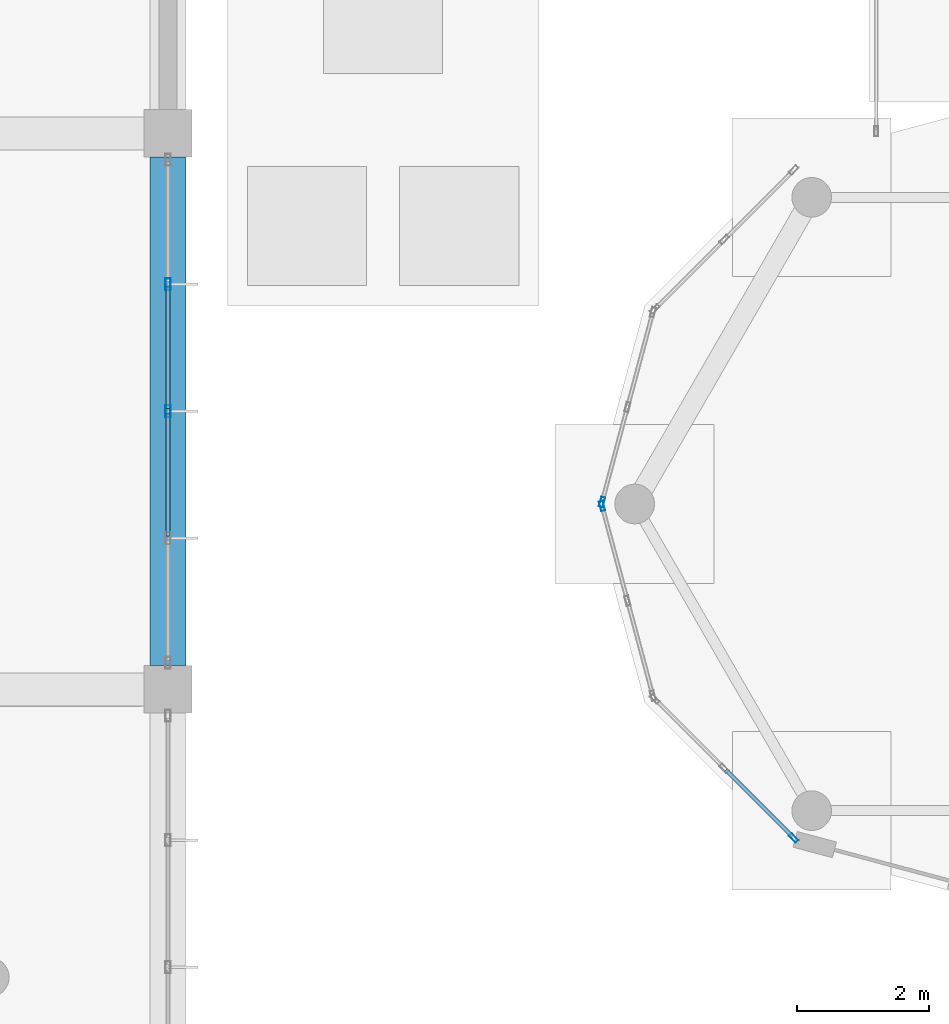
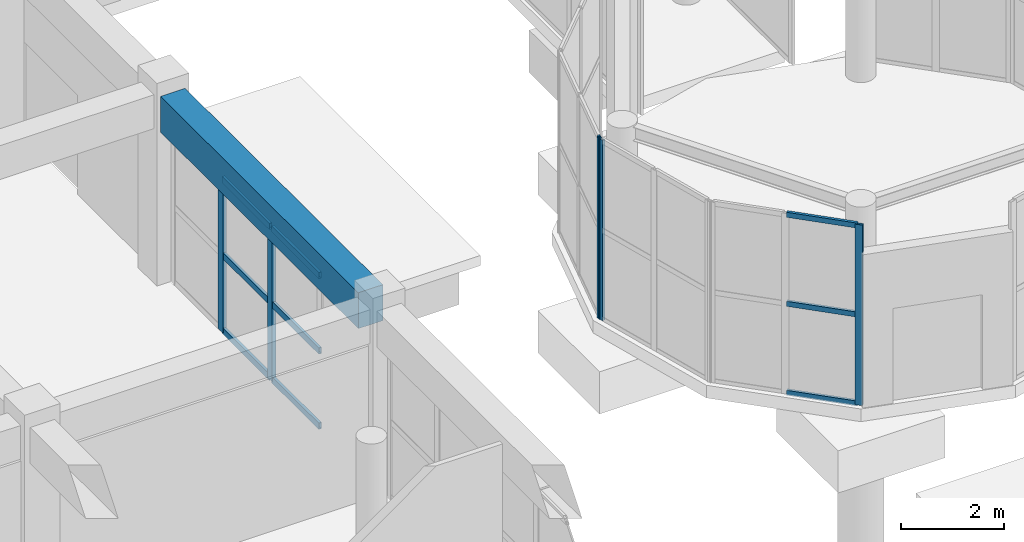
# One storey, part 47 of 139: 14 members, 1 beam, 4 elements without a shape of their own.
"""IFC4 building model written with IfcOpenShell, lengths in metres."""

from ifc_helpers import new_model, si_unit, direction, frame, origin, origin_2d, place, context, subcontext, project, spatial, rectangle, hollow_rectangle, extrude, material, layer, layer_set, material_profile, profile_set, type_object, element, aggregate, save


model = new_model("IFC4")

# Units and contexts
model_context = context("Model", 3, precision=1e-05, world=origin(), true_north=direction((0.0, 1.0)))
body_context = subcontext(model_context, "Body", "Model", "MODEL_VIEW")
ifc_project = project(units=[si_unit("LENGTHUNIT", "METRE"), si_unit("AREAUNIT", "SQUARE_METRE"), si_unit("VOLUMEUNIT", "CUBIC_METRE"), si_unit("PLANEANGLEUNIT", "RADIAN"), si_unit("MASSUNIT", "GRAM", prefix="KILO")], contexts=[model_context])

# Site, building, storey
site_placement = place(None, origin())
site = spatial("IfcSite", under=ifc_project, at=site_placement, CompositionType="ELEMENT")
building_placement = place(site_placement, origin())
building = spatial("IfcBuilding", under=site, at=building_placement, Name="Zizhar Promenade General Hospital", CompositionType="ELEMENT")
storey_placement = place(building_placement, origin())
storey = spatial("IfcBuildingStorey", under=building, at=storey_placement, Name="L00", CompositionType="ELEMENT", Elevation=0.0)

# Beam
ifc_material_1 = material(Name="Concrete C35/45", Category="concrete")
ifc_material_profile_1 = material_profile(ifc_material_1, rectangle(XDim=0.550048828125, YDim=0.85009765625, at=origin_2d()))
ifc_profile_set_1 = profile_set([ifc_material_profile_1], Name="Concrete C35/45")
beam_type = type_object("IfcBeamType", Name="BM-RC-550x850", PredefinedType="BEAM", material=ifc_profile_set_1)
beam_placement = place(storey_placement, frame((132.60009765625, 25.56005859375, 4.044921875), z_axis=(0.0, 1.0, 0.0), x_axis=(-1.0, 0.0, 0.0)))
element("IfcBeam", 1, at=beam_placement, inside=storey, type_object=beam_type, Name="Grid Beam Y L00 (17-3)", PredefinedType="BEAM", context=body_context, shape_type="SweptSolid", body=[
    extrude(rectangle(XDim=0.550048828125, YDim=0.85009765625, at=origin_2d()), origin(), (0.0, 0.0, 1.0), 7.679931640625),
])

# Curtain wall, member
ifc_material_2 = material(Name="Anodised aluminium 6063-T6 and low-E glass", Category="aluminium")
ifc_layer_1 = layer(ifc_material_2, 0.159912109375)
ifc_layer_set_1 = layer_set([ifc_layer_1], Name="Anodised aluminium 6063-T6 and low-E glass")
curtain_wall_type_1 = type_object("IfcCurtainWallType", Name="CW-PAV-GLZ", PredefinedType="NOTDEFINED", material=ifc_layer_set_1)
curtain_wall_1_placement = place(storey_placement, origin())
curtain_wall_1 = element("IfcCurtainWall", 2, at=curtain_wall_1_placement, inside=storey, type_object=curtain_wall_type_1, Name="Outpatient Welcome Pavilion Curved Glazing 6", PredefinedType="NOTDEFINED")
ifc_material_3 = material(Name="Anodised aluminium 6063-T6", Category="aluminium")
ifc_material_profile_2 = material_profile(ifc_material_3, hollow_rectangle(XDim=0.06005859375, YDim=0.14990234375, WallThickness=0.00390625, at=origin_2d()))
ifc_profile_set_2 = profile_set([ifc_material_profile_2], Name="Anodised aluminium 6063-T6")
member_type_1 = type_object("IfcMemberType", Name="CWM-ALU-150x60", PredefinedType="MULLION", material=ifc_profile_set_2)
member_1_placement = place(storey_placement, frame((139.15771484375, 28.029052734375, 0.0), z_axis=(0.0, 0.0, 1.0), x_axis=(-0.965921812881, 0.25883402288, 0.0)))
member_1 = element("IfcMember", 3, at=member_1_placement, type_object=member_type_1, Name="CW-14 mullion 1", PredefinedType="MULLION", context=body_context, shape_type="SweptSolid", body=[
    extrude(hollow_rectangle(XDim=0.06005859375, YDim=0.14990234375, WallThickness=0.00390625, at=origin_2d()), origin(), (0.0, 0.0, 1.0), 4.280029296875),
])
aggregate(curtain_wall_1, [member_1])

curtain_wall_2_placement = place(storey_placement, origin())
curtain_wall_2 = element("IfcCurtainWall", 4, at=curtain_wall_2_placement, inside=storey, type_object=curtain_wall_type_1, Name="Outpatient Welcome Pavilion Curved Glazing 7", PredefinedType="NOTDEFINED")
member_2_placement = place(storey_placement, frame((139.15771484375, 27.970947265625, 0.0), z_axis=(0.0, 0.0, 1.0), x_axis=(-0.965921812881, -0.25883402288, 0.0)))
member_2 = element("IfcMember", 5, at=member_2_placement, type_object=member_type_1, Name="CW-14 mullion 3", PredefinedType="MULLION", context=body_context, shape_type="SweptSolid", body=[
    extrude(hollow_rectangle(XDim=0.06005859375, YDim=0.14990234375, WallThickness=0.00390625, at=origin_2d()), origin(), (0.0, 0.0, 1.0), 4.280029296875),
])
aggregate(curtain_wall_2, [member_2])

curtain_wall_3_placement = place(storey_placement, origin())
curtain_wall_3 = element("IfcCurtainWall", 6, at=curtain_wall_3_placement, inside=storey, type_object=curtain_wall_type_1, Name="Outpatient Welcome Pavilion Curved Glazing 8", PredefinedType="NOTDEFINED")
member_3_placement = place(storey_placement, frame((142.0537109375, 22.955078125, 0.0), z_axis=(0.0, 0.0, 1.0), x_axis=(-0.707106781187, -0.707106781187, 0.0)))
member_3 = element("IfcMember", 7, at=member_3_placement, type_object=member_type_1, Name="CW-14 mullion 1", PredefinedType="MULLION", context=body_context, shape_type="SweptSolid", body=[
    extrude(hollow_rectangle(XDim=0.06005859375, YDim=0.14990234375, WallThickness=0.00390625, at=origin_2d()), origin(), (0.0, 0.0, 1.0), 4.280029296875),
])

# Curtain wall, members
ifc_material_4 = material(Name="Anodised aluminium 6063-T6 and low-E glass", Category="aluminium")
ifc_layer_2 = layer(ifc_material_4, 0.159912109375)
ifc_layer_set_2 = layer_set([ifc_layer_2], Name="Anodised aluminium 6063-T6 and low-E glass")
curtain_wall_type_2 = type_object("IfcCurtainWallType", Name="CW-HALL-S", PredefinedType="NOTDEFINED", material=ifc_layer_set_2)
curtain_wall_4_placement = place(storey_placement, origin())
curtain_wall_4 = element("IfcCurtainWall", 8, at=curtain_wall_4_placement, inside=storey, type_object=curtain_wall_type_2, Name="Forecourt Arrival Glazed Curtain Wall L00-3", PredefinedType="NOTDEFINED")
ifc_material_5 = material(Name="Anodised aluminium 6063-T6", Category="aluminium")
ifc_material_profile_3 = material_profile(ifc_material_5, hollow_rectangle(XDim=0.080078125, YDim=0.179931640625, WallThickness=0.0048828125, at=origin_2d()))
ifc_profile_set_3 = profile_set([ifc_material_profile_3], Name="Anodised aluminium 6063-T6")
member_type_2 = type_object("IfcMemberType", Name="CWM-ALU-180x80", PredefinedType="MULLION", material=ifc_profile_set_3)
member_4_placement = place(storey_placement, frame((132.60009765625, 31.320068359375, 0.0), z_axis=(0.0, 0.0, 1.0), x_axis=(1.0, 0.0, 0.0)))
member_4 = element("IfcMember", 9, at=member_4_placement, type_object=member_type_2, Name="CW-01 mullion 2", PredefinedType="MULLION", context=body_context, shape_type="SweptSolid", body=[
    extrude(hollow_rectangle(XDim=0.080078125, YDim=0.179931640625, WallThickness=0.0048828125, at=origin_2d()), origin(), (0.0, 0.0, 1.0), 3.6298828125),
])
member_5_placement = place(storey_placement, frame((132.60009765625, 29.39990234375, 0.0), z_axis=(0.0, 0.0, 1.0), x_axis=(1.0, 0.0, 0.0)))
member_5 = element("IfcMember", 10, at=member_5_placement, type_object=member_type_2, Name="CW-01 mullion 3", PredefinedType="MULLION", context=body_context, shape_type="SweptSolid", body=[
    extrude(hollow_rectangle(XDim=0.080078125, YDim=0.179931640625, WallThickness=0.0048828125, at=origin_2d()), origin(), (0.0, 0.0, 1.0), 3.6298828125),
])

# Member
ifc_material_6 = material(Name="Anodised aluminium 6063-T6", Category="aluminium")
ifc_material_profile_4 = material_profile(ifc_material_6, hollow_rectangle(XDim=0.06005859375, YDim=0.1201171875, WallThickness=0.00390625, at=origin_2d()))
ifc_profile_set_4 = profile_set([ifc_material_profile_4], Name="Anodised aluminium 6063-T6")
member_type_3 = type_object("IfcMemberType", Name="CWT-ALU-120x60", PredefinedType="USERDEFINED", material=ifc_profile_set_4)
member_6_placement = place(storey_placement, frame((142.032470703125, 22.976318359375, 0.030029296875), z_axis=(-0.707106781187, 0.707106781187, 0.0), x_axis=(-0.707106781187, -0.707106781187, 0.0)))
member_6 = element("IfcMember", 11, at=member_6_placement, type_object=member_type_3, Name="CW-14 transom 1.1", ObjectType="TRANSOM", PredefinedType="USERDEFINED", context=body_context, shape_type="SweptSolid", body=[
    extrude(hollow_rectangle(XDim=0.06005859375, YDim=0.1201171875, WallThickness=0.00390625, at=origin_2d()), origin(), (0.0, 0.0, 1.0), 1.423828125),
])

member_7_placement = place(storey_placement, frame((142.032470703125, 22.976318359375, 2.139892578125), z_axis=(-0.707106781187, 0.707106781187, 0.0), x_axis=(-0.707106781187, -0.707106781187, 0.0)))
member_7 = element("IfcMember", 12, at=member_7_placement, type_object=member_type_3, Name="CW-14 transom 1.2", ObjectType="TRANSOM", PredefinedType="USERDEFINED", context=body_context, shape_type="SweptSolid", body=[
    extrude(hollow_rectangle(XDim=0.06005859375, YDim=0.1201171875, WallThickness=0.00390625, at=origin_2d()), origin(), (0.0, 0.0, 1.0), 1.423828125),
])

member_8_placement = place(storey_placement, frame((142.032470703125, 22.976318359375, 4.25), z_axis=(-0.707106781187, 0.707106781187, 0.0), x_axis=(-0.707106781187, -0.707106781187, 0.0)))
member_8 = element("IfcMember", 13, at=member_8_placement, type_object=member_type_3, Name="CW-14 transom 1.3", ObjectType="TRANSOM", PredefinedType="USERDEFINED", context=body_context, shape_type="SweptSolid", body=[
    extrude(hollow_rectangle(XDim=0.06005859375, YDim=0.1201171875, WallThickness=0.00390625, at=origin_2d()), origin(), (0.0, 0.0, 1.0), 1.423828125),
])

aggregate(curtain_wall_3, [member_3, member_6, member_7, member_8])

ifc_material_7 = material(Name="Anodised aluminium 6063-T6", Category="aluminium")
ifc_material_profile_5 = material_profile(ifc_material_7, hollow_rectangle(XDim=0.06005859375, YDim=0.14990234375, WallThickness=0.00390625, at=origin_2d()))
ifc_profile_set_5 = profile_set([ifc_material_profile_5], Name="Anodised aluminium 6063-T6")
member_type_4 = type_object("IfcMemberType", Name="CWT-ALU-150x60", PredefinedType="USERDEFINED", material=ifc_profile_set_5)
member_9_placement = place(storey_placement, frame((132.60009765625, 31.280029296875, 0.030029296875), z_axis=(0.0, -1.0, 0.0), x_axis=(1.0, 0.0, 0.0)))
member_9 = element("IfcMember", 14, at=member_9_placement, type_object=member_type_4, Name="CW-01 transom 2.1", ObjectType="TRANSOM", PredefinedType="USERDEFINED", context=body_context, shape_type="SweptSolid", body=[
    extrude(hollow_rectangle(XDim=0.06005859375, YDim=0.14990234375, WallThickness=0.00390625, at=origin_2d()), origin(), (0.0, 0.0, 1.0), 1.840087890625),
])

member_10_placement = place(storey_placement, frame((132.60009765625, 31.280029296875, 1.81494140625), z_axis=(0.0, -1.0, 0.0), x_axis=(1.0, 0.0, 0.0)))
member_10 = element("IfcMember", 15, at=member_10_placement, type_object=member_type_4, Name="CW-01 transom 2.2", ObjectType="TRANSOM", PredefinedType="USERDEFINED", context=body_context, shape_type="SweptSolid", body=[
    extrude(hollow_rectangle(XDim=0.06005859375, YDim=0.14990234375, WallThickness=0.00390625, at=origin_2d()), origin(), (0.0, 0.0, 1.0), 1.840087890625),
])

member_11_placement = place(storey_placement, frame((132.60009765625, 31.280029296875, 3.60009765625), z_axis=(0.0, -1.0, 0.0), x_axis=(1.0, 0.0, 0.0)))
member_11 = element("IfcMember", 16, at=member_11_placement, type_object=member_type_4, Name="CW-01 transom 2.3", ObjectType="TRANSOM", PredefinedType="USERDEFINED", context=body_context, shape_type="SweptSolid", body=[
    extrude(hollow_rectangle(XDim=0.06005859375, YDim=0.14990234375, WallThickness=0.00390625, at=origin_2d()), origin(), (0.0, 0.0, 1.0), 1.840087890625),
])

member_12_placement = place(storey_placement, frame((132.60009765625, 29.360107421875, 0.030029296875), z_axis=(0.0, -1.0, 0.0), x_axis=(1.0, 0.0, 0.0)))
member_12 = element("IfcMember", 17, at=member_12_placement, type_object=member_type_4, Name="CW-01 transom 3.1", ObjectType="TRANSOM", PredefinedType="USERDEFINED", context=body_context, shape_type="SweptSolid", body=[
    extrude(hollow_rectangle(XDim=0.06005859375, YDim=0.14990234375, WallThickness=0.00390625, at=origin_2d()), origin(), (0.0, 0.0, 1.0), 1.840087890625),
])

member_13_placement = place(storey_placement, frame((132.60009765625, 29.360107421875, 1.81494140625), z_axis=(0.0, -1.0, 0.0), x_axis=(1.0, 0.0, 0.0)))
member_13 = element("IfcMember", 18, at=member_13_placement, type_object=member_type_4, Name="CW-01 transom 3.2", ObjectType="TRANSOM", PredefinedType="USERDEFINED", context=body_context, shape_type="SweptSolid", body=[
    extrude(hollow_rectangle(XDim=0.06005859375, YDim=0.14990234375, WallThickness=0.00390625, at=origin_2d()), origin(), (0.0, 0.0, 1.0), 1.840087890625),
])

member_14_placement = place(storey_placement, frame((132.60009765625, 29.360107421875, 3.60009765625), z_axis=(0.0, -1.0, 0.0), x_axis=(1.0, 0.0, 0.0)))
member_14 = element("IfcMember", 19, at=member_14_placement, type_object=member_type_4, Name="CW-01 transom 3.3", ObjectType="TRANSOM", PredefinedType="USERDEFINED", context=body_context, shape_type="SweptSolid", body=[
    extrude(hollow_rectangle(XDim=0.06005859375, YDim=0.14990234375, WallThickness=0.00390625, at=origin_2d()), origin(), (0.0, 0.0, 1.0), 1.840087890625),
])

aggregate(curtain_wall_4, [member_4, member_5, member_9, member_10, member_11, member_12, member_13, member_14])

save(model, "model.ifc")
